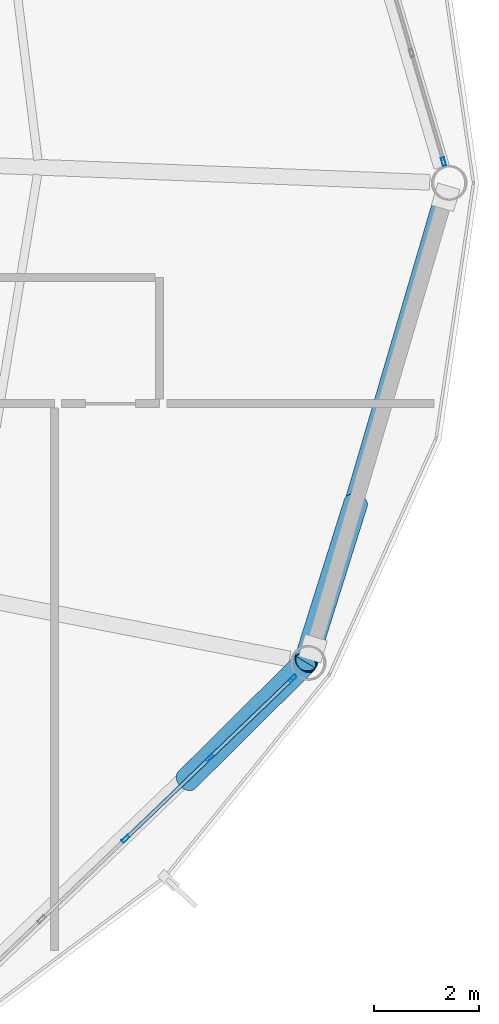
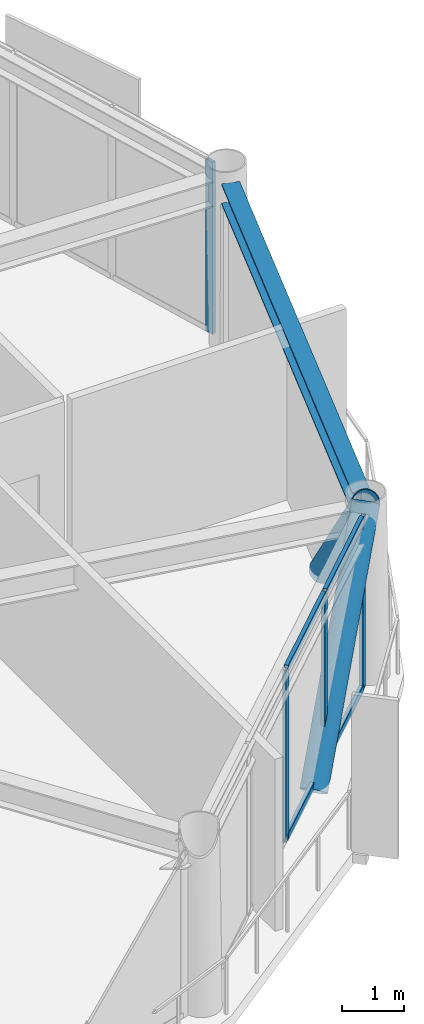
# One storey, part 15 of 28: 10 members, 1 beam, 2 elements without a shape of their own.
"""IFC4 building model written with IfcOpenShell, lengths in metres."""

from ifc_helpers import new_model, si_unit, direction, frame, origin, origin_2d, place, context, subcontext, project, spatial, hollow_rectangle, hollow_circle, i_section, extrude, material, layer, layer_set, material_profile, profile_set, type_object, element, aggregate, save


model = new_model("IFC4")

# Units and contexts
model_context = context("Model", 3, precision=1e-05, world=origin(), true_north=direction((0.0, 1.0)))
body_context = subcontext(model_context, "Body", "Model", "MODEL_VIEW")
ifc_project = project(units=[si_unit("LENGTHUNIT", "METRE"), si_unit("AREAUNIT", "SQUARE_METRE"), si_unit("VOLUMEUNIT", "CUBIC_METRE"), si_unit("PLANEANGLEUNIT", "RADIAN"), si_unit("MASSUNIT", "GRAM", prefix="KILO")], contexts=[model_context])

# Site, building, storey
site_placement = place(None, origin())
site = spatial("IfcSite", under=ifc_project, at=site_placement, CompositionType="ELEMENT")
building_placement = place(site_placement, origin())
building = spatial("IfcBuilding", under=site, at=building_placement, Name="Varnakorn Sky Granary", CompositionType="ELEMENT")
storey_placement = place(building_placement, frame((0.0, 0.0, 211.199951171875)))
storey = spatial("IfcBuildingStorey", under=building, at=storey_placement, Name="L53", CompositionType="ELEMENT", Elevation=211.199951171875)

# Beam
ifc_material_1 = material(Name="Steel S355JR", Category="steel")
ifc_material_profile_1 = material_profile(ifc_material_1, i_section(OverallWidth=0.300048828125, OverallDepth=0.39990234375, WebThickness=0.013427734375, FlangeThickness=0.02392578125, at=origin_2d()), Name="HE 400 B")
ifc_profile_set_1 = profile_set([ifc_material_profile_1], Name="Steel S355JR")
beam_type = type_object("IfcBeamType", Name="BM-SPD-Z4", PredefinedType="SPANDREL", material=ifc_profile_set_1)
beam_placement = place(storey_placement, frame((21.3671875, -8.818603515625, 3.16015625), z_axis=(0.281566098607, 0.959541834479, 0.0), x_axis=(-0.959541834479, 0.281566098607, 0.0)))
element("IfcBeam", 1, at=beam_placement, inside=storey, type_object=beam_type, Name="Perimeter Spandrel Ring Beam RB12 L53", PredefinedType="SPANDREL", context=body_context, shape_type="SweptSolid", body=[
    extrude(i_section(OverallWidth=0.300048828125, OverallDepth=0.39990234375, WebThickness=0.013427734375, FlangeThickness=0.02392578125, at=origin_2d()), origin(), (0.0, 0.0, 1.0), 8.87548828125),
])

# Curtain wall, member
ifc_material_2 = material(Name="Anodised Bronze Aluminium Alloy 6063-T6", Category="aluminium")
ifc_layer = layer(ifc_material_2, 0.169921875, Name="Anodised Bronze Aluminium Alloy 6063-T6")
ifc_layer_set = layer_set([ifc_layer], Name="Anodised Bronze Aluminium Alloy 6063-T6")
curtain_wall_type = type_object("IfcCurtainWallType", Name="CW-LAB-1", PredefinedType="USERDEFINED", material=ifc_layer_set)
curtain_wall_1_placement = place(storey_placement, origin())
curtain_wall_1 = element("IfcCurtainWall", 2, at=curtain_wall_1_placement, inside=storey, type_object=curtain_wall_type, Name="Unitised Curtain Wall CW5 CW-L53-B01", ObjectType="CURTAIN WALL", PredefinedType="USERDEFINED")
ifc_material_profile_2 = material_profile(ifc_material_2, hollow_rectangle(XDim=0.06494140625, YDim=0.159912109375, WallThickness=0.00341796875, at=origin_2d()), Name="ALU MULL 65x160")
ifc_profile_set_2 = profile_set([ifc_material_profile_2], Name="Anodised Bronze Aluminium Alloy 6063-T6")
member_type_1 = type_object("IfcMemberType", Name="CW-LAB-1-MULL", PredefinedType="MULLION", material=ifc_profile_set_2)
member_1_placement = place(storey_placement, frame((23.90380859375, 0.4052734375, 0.0), z_axis=(0.0, 0.0, 1.0), x_axis=(0.959425208919, 0.28196323961, 0.0)))
member_1 = element("IfcMember", 3, at=member_1_placement, type_object=member_type_1, Name="CW5 mullion 5", PredefinedType="MULLION", context=body_context, shape_type="SweptSolid", body=[
    extrude(hollow_rectangle(XDim=0.06494140625, YDim=0.159912109375, WallThickness=0.00341796875, at=origin_2d()), origin(), (0.0, 0.0, 1.0), 3.360107421875),
])
aggregate(curtain_wall_1, [member_1])

# Curtain wall, members
curtain_wall_2_placement = place(storey_placement, origin())
curtain_wall_2 = element("IfcCurtainWall", 4, at=curtain_wall_2_placement, inside=storey, type_object=curtain_wall_type, Name="Unitised Curtain Wall CW5 CW-L53-B11", ObjectType="CURTAIN WALL", PredefinedType="USERDEFINED")
member_2_placement = place(storey_placement, frame((21.03271484375, -9.4306640625, 0.0), z_axis=(0.0, 0.0, 1.0), x_axis=(0.692516121649, -0.721402398982, 0.0)))
member_2 = element("IfcMember", 5, at=member_2_placement, type_object=member_type_1, Name="CW5 mullion 1", PredefinedType="MULLION", context=body_context, shape_type="SweptSolid", body=[
    extrude(hollow_rectangle(XDim=0.06494140625, YDim=0.159912109375, WallThickness=0.00341796875, at=origin_2d()), origin(), (0.0, 0.0, 1.0), 3.360107421875),
])
member_3_placement = place(storey_placement, frame((19.45458984375, -10.9453125, 0.0), z_axis=(0.0, 0.0, 1.0), x_axis=(0.692516121649, -0.721402398982, 0.0)))
member_3 = element("IfcMember", 6, at=member_3_placement, type_object=member_type_1, Name="CW5 mullion 2", PredefinedType="MULLION", context=body_context, shape_type="SweptSolid", body=[
    extrude(hollow_rectangle(XDim=0.06494140625, YDim=0.159912109375, WallThickness=0.00341796875, at=origin_2d()), origin(), (0.0, 0.0, 1.0), 3.360107421875),
])
member_4_placement = place(storey_placement, frame((17.853271484375, -12.482666015625, 0.0), z_axis=(0.0, 0.0, 1.0), x_axis=(0.692516121649, -0.721402398982, 0.0)))
member_4 = element("IfcMember", 7, at=member_4_placement, type_object=member_type_1, Name="CW5 mullion 3", PredefinedType="MULLION", context=body_context, shape_type="SweptSolid", body=[
    extrude(hollow_rectangle(XDim=0.06494140625, YDim=0.159912109375, WallThickness=0.00341796875, at=origin_2d()), origin(), (0.0, 0.0, 1.0), 3.360107421875),
])
ifc_material_profile_3 = material_profile(ifc_material_2, hollow_rectangle(XDim=0.070068359375, YDim=0.139892578125, WallThickness=0.00341796875, at=origin_2d()), Name="ALU TRAN 70x140")
ifc_profile_set_3 = profile_set([ifc_material_profile_3], Name="Anodised Bronze Aluminium Alloy 6063-T6")
member_type_2 = type_object("IfcMemberType", Name="CW-LAB-1-TRAN", PredefinedType="USERDEFINED", material=ifc_profile_set_3)
member_5_placement = place(storey_placement, frame((21.00927734375, -9.453125, 0.03515625), z_axis=(-0.721451679609, -0.692464781768, 0.0), x_axis=(0.692464781768, -0.721451679609, 0.0)))
member_5 = element("IfcMember", 8, at=member_5_placement, type_object=member_type_2, Name="CW5 transom 1.1", ObjectType="TRANSOM", PredefinedType="USERDEFINED", context=body_context, shape_type="SweptSolid", body=[
    extrude(hollow_rectangle(XDim=0.070068359375, YDim=0.139892578125, WallThickness=0.00341796875, at=origin_2d()), origin(), (0.0, 0.0, 1.0), 2.12255859375),
])
member_6_placement = place(storey_placement, frame((21.00927734375, -9.453125, 3.324951171875), z_axis=(-0.721451679609, -0.692464781768, 0.0), x_axis=(0.692464781768, -0.721451679609, 0.0)))
member_6 = element("IfcMember", 9, at=member_6_placement, type_object=member_type_2, Name="CW5 transom 1.2", ObjectType="TRANSOM", PredefinedType="USERDEFINED", context=body_context, shape_type="SweptSolid", body=[
    extrude(hollow_rectangle(XDim=0.070068359375, YDim=0.139892578125, WallThickness=0.00341796875, at=origin_2d()), origin(), (0.0, 0.0, 1.0), 2.12255859375),
])
member_7_placement = place(storey_placement, frame((19.43115234375, -10.968017578125, 0.03515625), z_axis=(-0.721405434301, -0.692512959706, 0.0), x_axis=(0.692512959706, -0.721405434301, 0.0)))
member_7 = element("IfcMember", 10, at=member_7_placement, type_object=member_type_2, Name="CW5 transom 2.1", ObjectType="TRANSOM", PredefinedType="USERDEFINED", context=body_context, shape_type="SweptSolid", body=[
    extrude(hollow_rectangle(XDim=0.070068359375, YDim=0.139892578125, WallThickness=0.00341796875, at=origin_2d()), origin(), (0.0, 0.0, 1.0), 2.15478515625),
])
member_8_placement = place(storey_placement, frame((19.43115234375, -10.968017578125, 3.324951171875), z_axis=(-0.721405434301, -0.692512959706, 0.0), x_axis=(0.692512959706, -0.721405434301, 0.0)))
member_8 = element("IfcMember", 11, at=member_8_placement, type_object=member_type_2, Name="CW5 transom 2.2", ObjectType="TRANSOM", PredefinedType="USERDEFINED", context=body_context, shape_type="SweptSolid", body=[
    extrude(hollow_rectangle(XDim=0.070068359375, YDim=0.139892578125, WallThickness=0.00341796875, at=origin_2d()), origin(), (0.0, 0.0, 1.0), 2.15478515625),
])
aggregate(curtain_wall_2, [member_2, member_3, member_4, member_5, member_6, member_7, member_8])

# Members
ifc_material_3 = material(Name="Steel S460M", Category="steel")
ifc_material_profile_4 = material_profile(ifc_material_3, hollow_circle(Radius=0.228515625, WallThickness=0.01611328125, at=origin_2d()), Name="CHS 457x16")
ifc_profile_set_4 = profile_set([ifc_material_profile_4], Name="Steel S460M")
member_type_3 = type_object("IfcMemberType", Name="MB-DIAG-T3", PredefinedType="BRACE", material=ifc_profile_set_4)
member_9_placement = place(storey_placement, frame((19.0146484375, -11.367919921875, -0.1298828125), z_axis=(0.478836020751, 0.475221384554, 0.738160349039), x_axis=(-0.704422710828, 0.709780701674, 0.0)))
element("IfcMember", 12, at=member_9_placement, inside=storey, type_object=member_type_3, Name="Perimeter CHS Diagrid Brace DG11 L53", PredefinedType="BRACE", context=body_context, shape_type="SweptSolid", body=[
    extrude(hollow_circle(Radius=0.228515625, WallThickness=0.01611328125, at=origin_2d()), origin(), (0.0, 0.0, 1.0), 4.72802734375),
])
member_10_placement = place(storey_placement, frame((22.232666015625, -6.092041015625, -0.1298828125), z_axis=(-0.202198700696, -0.64193430899, 0.73961883993), x_axis=(0.953803161755, -0.300432236329, 0.0)))
element("IfcMember", 13, at=member_10_placement, inside=storey, type_object=member_type_3, Name="Perimeter CHS Diagrid Brace DG12 L53", PredefinedType="BRACE", context=body_context, shape_type="SweptSolid", body=[
    extrude(hollow_circle(Radius=0.228515625, WallThickness=0.01611328125, at=origin_2d()), origin(), (0.0, 0.0, 1.0), 4.71875),
])

save(model, "model.ifc")
